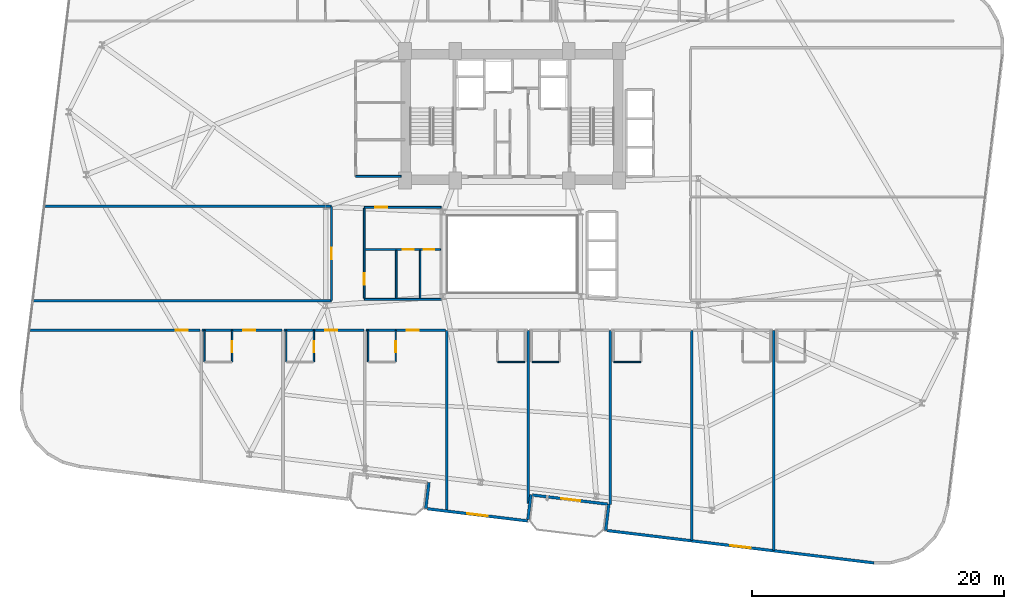
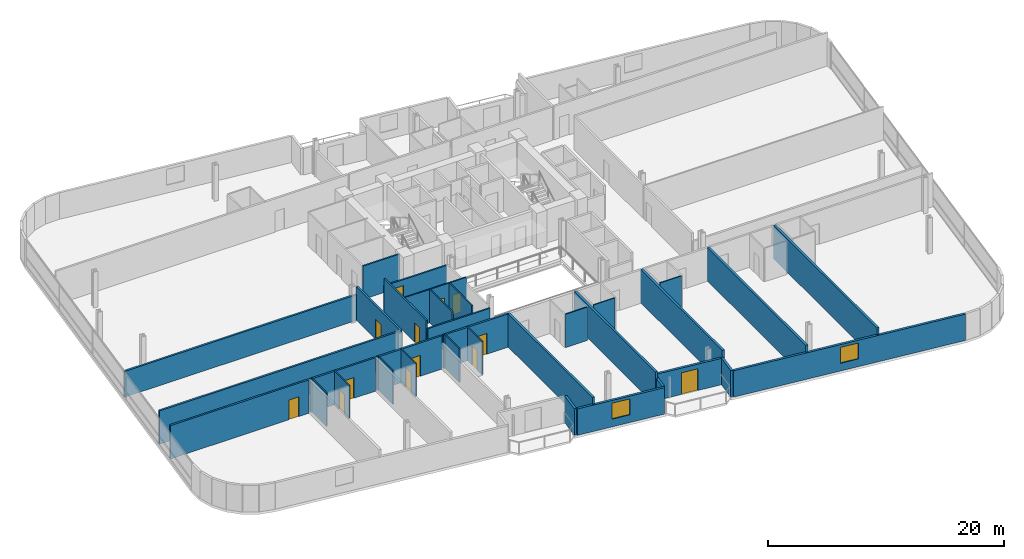
# One storey, part 20 of 26: 34 walls, 13 doors, 2 windows, 15 openings.
"""IFC4 building model written with IfcOpenShell, lengths in metres."""

from ifc_helpers import new_model, si_unit, direction, frame, frame_2d, origin, place, context, subcontext, project, spatial, rectangle, extrude, material, layer, layer_set, type_object, element, fill, save


model = new_model("IFC4")

# Units and contexts
model_context = context("Model", 3, precision=1e-05, world=origin(), true_north=direction((0.0, 1.0)))
body_context = subcontext(model_context, "Body", "Model", "MODEL_VIEW")
ifc_project = project(units=[si_unit("LENGTHUNIT", "METRE"), si_unit("AREAUNIT", "SQUARE_METRE"), si_unit("VOLUMEUNIT", "CUBIC_METRE"), si_unit("PLANEANGLEUNIT", "RADIAN"), si_unit("MASSUNIT", "GRAM", prefix="KILO")], contexts=[model_context])

# Site, building, storey
site_placement = place(None, origin())
site = spatial("IfcSite", under=ifc_project, at=site_placement, CompositionType="ELEMENT")
building_placement = place(site_placement, origin())
building = spatial("IfcBuilding", under=site, at=building_placement, Name="Varnelok Gate Tower", CompositionType="ELEMENT")
storey_placement = place(building_placement, frame((0.0, 0.0, 129.10009765625)))
storey = spatial("IfcBuildingStorey", under=building, at=storey_placement, Name="L32", CompositionType="ELEMENT", Elevation=129.10009765625)

# Wall, opening, door
ifc_material_1 = material(Name="Concrete C45/55", Category="concrete")
ifc_layer_1 = layer(ifc_material_1, 0.219970703125)
ifc_layer_set_1 = layer_set([ifc_layer_1], Name="Concrete C45/55")
wall_type_1 = type_object("IfcWallType", Name="EW-BALC-220", PredefinedType="SOLIDWALL", material=ifc_layer_set_1)
wall_1_placement = place(storey_placement, frame((46.77587890625, 3.03662109375, 0.0), z_axis=(0.0, 0.0, 1.0), x_axis=(-0.992735402148, 0.120318000826, 0.0)))
wall_1 = element("IfcWall", 1, at=wall_1_placement, inside=storey, type_object=wall_type_1, Name="L32 South Terrace Envelope Wall 2", PredefinedType="SOLIDWALL", context=body_context, shape_type="SweptSolid", body=[
    extrude(rectangle(XDim=6.000244140625, YDim=0.219970703125, at=frame_2d((3.0, 0.0))), origin(), (0.0, 0.0, 1.0), 2.72998046875),
])
opening_1_placement = place(wall_1_placement, frame((2.176025390625, 0.0, 0.0)))
opening_1 = element("IfcOpeningElement", 2, at=opening_1_placement, cuts=wall_1, Name="Opening BD-1", PredefinedType="OPENING", context=body_context, shape_type="SweptSolid", body=[
    extrude(rectangle(XDim=1.5, YDim=2.25, at=frame_2d((0.75, 1.125))), frame((0.0, 0.119873046875, 0.0), z_axis=(0.0, -1.0, 0.0), x_axis=(1.0, 0.0, 0.0)), (0.0, 0.0, 1.0), 0.239990234375),
])
ifc_material_2 = material(Name="Anodized Aluminum Alloy 6063-T6", Category="aluminium")
door_type_1 = type_object("IfcDoorType", Name="DR-EXT-BALC1500", OperationType="NOTDEFINED", PredefinedType="DOOR", material=ifc_material_2)
door_1_placement = place(opening_1_placement, origin())
door_1 = element("IfcDoor", 3, at=door_1_placement, inside=storey, type_object=door_type_1, Name="L32 South Balcony Glazed Door 2", OperationType="SINGLE_SWING_LEFT", OverallHeight=2.25, OverallWidth=1.5, PredefinedType="DOOR", context=body_context, shape_type="SweptSolid", body=[
    extrude(rectangle(XDim=1.5, YDim=2.25, at=frame_2d((0.75, 1.125))), frame((0.0, 0.02490234375, 0.0), z_axis=(0.0, -1.0, 0.0), x_axis=(1.0, 0.0, 0.0)), (0.0, 0.0, 1.0), 0.050048828125),
])
fill(opening_1, door_1)

# Wall
wall_2_placement = place(storey_placement, frame((32.600830078125, 4.764892578125, 0.0), z_axis=(0.0, 0.0, 1.0), x_axis=(-0.120327895535, -0.992734202874, 0.0)))
element("IfcWall", 4, at=wall_2_placement, inside=storey, type_object=wall_type_1, Name="L32 Perimeter Facade Closure Wall 9", PredefinedType="SOLIDWALL", context=body_context, shape_type="SweptSolid", body=[
    extrude(rectangle(XDim=2.099853515625, YDim=0.219970703125, at=frame_2d((1.0498046875, 0.0))), origin(), (0.0, 0.0, 1.0), 2.72998046875),
])

# Wall, opening, window
wall_3_placement = place(storey_placement, frame((32.47216796875, 2.6650390625, 0.0), z_axis=(0.0, 0.0, 1.0), x_axis=(0.992734661931, -0.120324108143, 0.0)))
wall_3 = element("IfcWall", 5, at=wall_3_placement, inside=storey, type_object=wall_type_1, Name="L32 Perimeter Facade Closure Wall 10", PredefinedType="SOLIDWALL", context=body_context, shape_type="SweptSolid", body=[
    extrude(rectangle(XDim=8.034912109375, YDim=0.219970703125, at=frame_2d((4.017578125, 0.0))), origin(), (0.0, 0.0, 1.0), 2.72998046875),
])
opening_2_placement = place(wall_3_placement, frame((3.1923828125, 0.0, 0.800048828125)))
opening_2 = element("IfcOpeningElement", 6, at=opening_2_placement, cuts=wall_3, Name="Opening WN3", PredefinedType="OPENING", context=body_context, shape_type="SweptSolid", body=[
    extrude(rectangle(XDim=1.64990234375, YDim=1.64990234375, at=frame_2d((0.824951171875, 0.824951171875))), frame((0.0, 0.119873046875, 0.0), z_axis=(0.0, -1.0, 0.0), x_axis=(1.0, 0.0, 0.0)), (0.0, 0.0, 1.0), 0.239990234375),
])
ifc_material_3 = material(Name="Low-E Laminated Double Glazing IGU", Category="glass")
window_type = type_object("IfcWindowType", Name="WN-HTL-1650", PartitioningType="SINGLE_PANEL", PredefinedType="WINDOW", material=ifc_material_3)
window_1_placement = place(opening_2_placement, origin())
window_1 = element("IfcWindow", 7, at=window_1_placement, inside=storey, type_object=window_type, Name="L32 Perimeter Vision Window 10", OverallHeight=1.64990234375, OverallWidth=1.64990234375, PartitioningType="SINGLE_PANEL", PredefinedType="WINDOW", context=body_context, shape_type="SweptSolid", body=[
    extrude(rectangle(XDim=1.64990234375, YDim=1.64990234375, at=frame_2d((0.824951171875, 0.824951171875))), frame((0.0, 0.030029296875, 0.0), z_axis=(0.0, -1.0, 0.0), x_axis=(1.0, 0.0, 0.0)), (0.0, 0.0, 1.0), 0.06005859375),
])
fill(opening_2, window_1)

# Walls
wall_4_placement = place(storey_placement, frame((40.4638671875, 1.822265625, 0.0), z_axis=(0.0, 0.0, 1.0), x_axis=(0.120275992932, 0.992740492538, 0.0)))
element("IfcWall", 8, at=wall_4_placement, inside=storey, type_object=wall_type_1, Name="L32 Perimeter Facade Closure Wall 11", PredefinedType="SOLIDWALL", context=body_context, shape_type="SweptSolid", body=[
    extrude(rectangle(XDim=1.97509765625, YDim=0.219970703125, at=frame_2d((0.987548828125, 0.0))), origin(), (0.0, 0.0, 1.0), 2.72998046875),
])
wall_5_placement = place(storey_placement, frame((46.89599609375, 3.031982421875, 0.0), z_axis=(0.0, 0.0, 1.0), x_axis=(-0.120327895535, -0.992734202874, 0.0)))
element("IfcWall", 9, at=wall_5_placement, inside=storey, type_object=wall_type_1, Name="L32 Perimeter Facade Closure Wall 12", PredefinedType="SOLIDWALL", context=body_context, shape_type="SweptSolid", body=[
    extrude(rectangle(XDim=2.099853515625, YDim=0.219970703125, at=frame_2d((1.0498046875, 0.0))), origin(), (0.0, 0.0, 1.0), 2.72998046875),
])

# Wall, opening, window
wall_6_placement = place(storey_placement, frame((46.767578125, 0.93212890625, 0.0), z_axis=(0.0, 0.0, 1.0), x_axis=(0.992733036814, -0.120337515419, 0.0)))
wall_6 = element("IfcWall", 10, at=wall_6_placement, inside=storey, type_object=wall_type_1, Name="L32 Perimeter Facade Closure Wall 13", PredefinedType="SOLIDWALL", context=body_context, shape_type="SweptSolid", body=[
    extrude(rectangle(XDim=21.346923828125, YDim=0.219970703125, at=frame_2d((10.67333984375, 0.0))), origin(), (0.0, 0.0, 1.0), 2.72998046875),
])
opening_3_placement = place(wall_6_placement, frame((9.8486328125, 0.0, 0.800048828125)))
opening_3 = element("IfcOpeningElement", 11, at=opening_3_placement, cuts=wall_6, Name="Opening WN3", PredefinedType="OPENING", context=body_context, shape_type="SweptSolid", body=[
    extrude(rectangle(XDim=1.64990234375, YDim=1.64990234375, at=frame_2d((0.824951171875, 0.824951171875))), frame((0.0, 0.119873046875, 0.0), z_axis=(0.0, -1.0, 0.0), x_axis=(1.0, 0.0, 0.0)), (0.0, 0.0, 1.0), 0.239990234375),
])
window_2_placement = place(opening_3_placement, origin())
window_2 = element("IfcWindow", 12, at=window_2_placement, inside=storey, type_object=window_type, Name="L32 Perimeter Vision Window 13", OverallHeight=1.64990234375, OverallWidth=1.64990234375, PartitioningType="SINGLE_PANEL", PredefinedType="WINDOW", context=body_context, shape_type="SweptSolid", body=[
    extrude(rectangle(XDim=1.64990234375, YDim=1.64990234375, at=frame_2d((0.824951171875, 0.824951171875))), frame((0.0, 0.030029296875, 0.0), z_axis=(0.0, -1.0, 0.0), x_axis=(1.0, 0.0, 0.0)), (0.0, 0.0, 1.0), 0.06005859375),
])
fill(opening_3, window_2)

# Wall, opening, door
ifc_material_4 = material(Name="Gypsum Plasterboard Acoustic Partition", Category="gypsum")
ifc_layer_2 = layer(ifc_material_4, 0.179931640625)
ifc_layer_set_2 = layer_set([ifc_layer_2], Name="Gypsum Plasterboard Acoustic Partition")
wall_type_2 = type_object("IfcWallType", Name="PW-CORR-180", PredefinedType="PARTITIONING", material=ifc_layer_set_2)
wall_7_placement = place(storey_placement, frame((0.88427734375, 16.85009765625, 0.0), z_axis=(0.0, 0.0, 1.0), x_axis=(1.0, 0.0, 0.0)))
wall_7 = element("IfcWall", 13, at=wall_7_placement, inside=storey, type_object=wall_type_2, Name="Interior Partition", PredefinedType="PARTITIONING", context=body_context, shape_type="SweptSolid", body=[
    extrude(rectangle(XDim=13.53564453125, YDim=0.179931640625, at=frame_2d((6.767822265625, 0.0))), origin(), (0.0, 0.0, 1.0), 3.449951171875),
])
opening_4_placement = place(wall_7_placement, frame((11.5908203125, 0.0, 0.0)))
opening_4 = element("IfcOpeningElement", 14, at=opening_4_placement, cuts=wall_7, Name="Opening D-I2", PredefinedType="OPENING", context=body_context, shape_type="SweptSolid", body=[
    extrude(rectangle(XDim=0.949951171875, YDim=2.050048828125, at=frame_2d((0.47509765625, 1.02490234375))), frame((0.0, 0.099853515625, 0.0), z_axis=(0.0, -1.0, 0.0), x_axis=(1.0, 0.0, 0.0)), (0.0, 0.0, 1.0), 0.199951171875),
])
ifc_material_5 = material(Name="Engineered Hardwood Timber", Category="wood")
door_type_2 = type_object("IfcDoorType", Name="DR-INT-950", OperationType="NOTDEFINED", PredefinedType="DOOR", material=ifc_material_5)
door_2_placement = place(opening_4_placement, origin())
door_2 = element("IfcDoor", 15, at=door_2_placement, inside=storey, type_object=door_type_2, Name="L32 Wellness Spa Lounge Door", OperationType="SINGLE_SWING_LEFT", OverallHeight=2.050048828125, OverallWidth=0.949951171875, PredefinedType="DOOR", context=body_context, shape_type="SweptSolid", body=[
    extrude(rectangle(XDim=0.949951171875, YDim=2.050048828125, at=frame_2d((0.47509765625, 1.02490234375))), frame((0.0, 0.02490234375, 0.0), z_axis=(0.0, -1.0, 0.0), x_axis=(1.0, 0.0, 0.0)), (0.0, 0.0, 1.0), 0.050048828125),
])
fill(opening_4, door_2)

wall_8_placement = place(storey_placement, frame((14.580078125, 16.85009765625, 0.0), z_axis=(0.0, 0.0, 1.0), x_axis=(1.0, 0.0, 0.0)))
wall_8 = element("IfcWall", 16, at=wall_8_placement, inside=storey, type_object=wall_type_2, Name="Interior Partition", PredefinedType="PARTITIONING", context=body_context, shape_type="SweptSolid", body=[
    extrude(rectangle(XDim=6.33984375, YDim=0.179931640625, at=frame_2d((3.169921875, 0.0))), origin(), (0.0, 0.0, 1.0), 3.449951171875),
])
opening_5_placement = place(wall_8_placement, frame((3.273681640625, 0.0, 0.0)))
opening_5 = element("IfcOpeningElement", 17, at=opening_5_placement, cuts=wall_8, Name="Opening D-HT", PredefinedType="OPENING", context=body_context, shape_type="SweptSolid", body=[
    extrude(rectangle(XDim=0.949951171875, YDim=2.14990234375, at=frame_2d((0.47509765625, 1.074951171875))), frame((0.0, 0.099853515625, 0.0), z_axis=(0.0, -1.0, 0.0), x_axis=(1.0, 0.0, 0.0)), (0.0, 0.0, 1.0), 0.199951171875),
])
door_type_3 = type_object("IfcDoorType", Name="DR-HTL-950", OperationType="NOTDEFINED", PredefinedType="DOOR", material=ifc_material_5)
door_3_placement = place(opening_5_placement, origin())
door_3 = element("IfcDoor", 18, at=door_3_placement, inside=storey, type_object=door_type_3, Name="L32 Guest Room 02 Entrance Door", OperationType="SINGLE_SWING_LEFT", OverallHeight=2.14990234375, OverallWidth=0.949951171875, PredefinedType="DOOR", context=body_context, shape_type="SweptSolid", body=[
    extrude(rectangle(XDim=0.949951171875, YDim=2.14990234375, at=frame_2d((0.47509765625, 1.074951171875))), frame((0.0, 0.02490234375, 0.0), z_axis=(0.0, -1.0, 0.0), x_axis=(1.0, 0.0, 0.0)), (0.0, 0.0, 1.0), 0.050048828125),
])
fill(opening_5, door_3)

wall_9_placement = place(storey_placement, frame((21.080078125, 16.85009765625, 0.0), z_axis=(0.0, 0.0, 1.0), x_axis=(1.0, 0.0, 0.0)))
wall_9 = element("IfcWall", 19, at=wall_9_placement, inside=storey, type_object=wall_type_2, Name="Interior Partition", PredefinedType="PARTITIONING", context=body_context, shape_type="SweptSolid", body=[
    extrude(rectangle(XDim=6.33984375, YDim=0.179931640625, at=frame_2d((3.169921875, 0.0))), origin(), (0.0, 0.0, 1.0), 3.449951171875),
])
opening_6_placement = place(wall_9_placement, frame((3.273681640625, 0.0, 0.0)))
opening_6 = element("IfcOpeningElement", 20, at=opening_6_placement, cuts=wall_9, Name="Opening D-HT", PredefinedType="OPENING", context=body_context, shape_type="SweptSolid", body=[
    extrude(rectangle(XDim=0.949951171875, YDim=2.14990234375, at=frame_2d((0.47509765625, 1.074951171875))), frame((0.0, 0.099853515625, 0.0), z_axis=(0.0, -1.0, 0.0), x_axis=(1.0, 0.0, 0.0)), (0.0, 0.0, 1.0), 0.199951171875),
])
door_4_placement = place(opening_6_placement, origin())
door_4 = element("IfcDoor", 21, at=door_4_placement, inside=storey, type_object=door_type_3, Name="L32 Guest Room 03 Entrance Door", OperationType="SINGLE_SWING_RIGHT", OverallHeight=2.14990234375, OverallWidth=0.949951171875, PredefinedType="DOOR", context=body_context, shape_type="SweptSolid", body=[
    extrude(rectangle(XDim=0.949951171875, YDim=2.14990234375, at=frame_2d((0.47509765625, 1.074951171875))), frame((0.0, 0.02490234375, 0.0), z_axis=(0.0, -1.0, 0.0), x_axis=(1.0, 0.0, 0.0)), (0.0, 0.0, 1.0), 0.050048828125),
])
fill(opening_6, door_4)

wall_10_placement = place(storey_placement, frame((27.580078125, 16.85009765625, 0.0), z_axis=(0.0, 0.0, 1.0), x_axis=(1.0, 0.0, 0.0)))
wall_10 = element("IfcWall", 22, at=wall_10_placement, inside=storey, type_object=wall_type_2, Name="Interior Partition", PredefinedType="PARTITIONING", context=body_context, shape_type="SweptSolid", body=[
    extrude(rectangle(XDim=6.33984375, YDim=0.179931640625, at=frame_2d((3.169921875, 0.0))), origin(), (0.0, 0.0, 1.0), 3.449951171875),
])
opening_7_placement = place(wall_10_placement, frame((3.273681640625, 0.0, 0.0)))
opening_7 = element("IfcOpeningElement", 23, at=opening_7_placement, cuts=wall_10, Name="Opening D-HT", PredefinedType="OPENING", context=body_context, shape_type="SweptSolid", body=[
    extrude(rectangle(XDim=0.949951171875, YDim=2.14990234375, at=frame_2d((0.47509765625, 1.074951171875))), frame((0.0, 0.099853515625, 0.0), z_axis=(0.0, -1.0, 0.0), x_axis=(1.0, 0.0, 0.0)), (0.0, 0.0, 1.0), 0.199951171875),
])
door_5_placement = place(opening_7_placement, origin())
door_5 = element("IfcDoor", 24, at=door_5_placement, inside=storey, type_object=door_type_3, Name="L32 Guest Room 04 Entrance Door", OperationType="SINGLE_SWING_LEFT", OverallHeight=2.14990234375, OverallWidth=0.949951171875, PredefinedType="DOOR", context=body_context, shape_type="SweptSolid", body=[
    extrude(rectangle(XDim=0.949951171875, YDim=2.14990234375, at=frame_2d((0.47509765625, 1.074951171875))), frame((0.0, 0.02490234375, 0.0), z_axis=(0.0, -1.0, 0.0), x_axis=(1.0, 0.0, 0.0)), (0.0, 0.0, 1.0), 0.050048828125),
])
fill(opening_7, door_5)

wall_11_placement = place(storey_placement, frame((24.85009765625, 19.199951171875, 0.0), z_axis=(0.0, 0.0, 1.0), x_axis=(0.0, 1.0, 0.0)))
wall_11 = element("IfcWall", 25, at=wall_11_placement, inside=storey, type_object=wall_type_2, Name="Interior Partition", PredefinedType="PARTITIONING", context=body_context, shape_type="SweptSolid", body=[
    extrude(rectangle(XDim=7.5, YDim=0.179931640625, at=frame_2d((3.75, 0.0))), origin(), (0.0, 0.0, 1.0), 3.449951171875),
])
opening_8_placement = place(wall_11_placement, frame((3.27490234375, 0.0, 0.0)))
opening_8 = element("IfcOpeningElement", 26, at=opening_8_placement, cuts=wall_11, Name="Opening D-I2", PredefinedType="OPENING", context=body_context, shape_type="SweptSolid", body=[
    extrude(rectangle(XDim=0.949951171875, YDim=2.050048828125, at=frame_2d((0.47509765625, 1.02490234375))), frame((0.0, 0.099853515625, 0.0), z_axis=(0.0, -1.0, 0.0), x_axis=(1.0, 0.0, 0.0)), (0.0, 0.0, 1.0), 0.199951171875),
])
door_6_placement = place(opening_8_placement, origin())
door_6 = element("IfcDoor", 27, at=door_6_placement, inside=storey, type_object=door_type_2, Name="L32 West Flank Room Door", OperationType="SINGLE_SWING_LEFT", OverallHeight=2.050048828125, OverallWidth=0.949951171875, PredefinedType="DOOR", context=body_context, shape_type="SweptSolid", body=[
    extrude(rectangle(XDim=0.949951171875, YDim=2.050048828125, at=frame_2d((0.47509765625, 1.02490234375))), frame((0.0, 0.02490234375, 0.0), z_axis=(0.0, -1.0, 0.0), x_axis=(1.0, 0.0, 0.0)), (0.0, 0.0, 1.0), 0.050048828125),
])
fill(opening_8, door_6)

# Walls
wall_12_placement = place(storey_placement, frame((1.169189453125, 19.199951171875, 0.0), z_axis=(0.0, 0.0, 1.0), x_axis=(1.0, 0.0, 0.0)))
element("IfcWall", 28, at=wall_12_placement, inside=storey, type_object=wall_type_2, Name="Interior Partition", PredefinedType="PARTITIONING", context=body_context, shape_type="SweptSolid", body=[
    extrude(rectangle(XDim=23.680908203125, YDim=0.179931640625, at=frame_2d((11.84033203125, 0.0))), origin(), (0.0, 0.0, 1.0), 3.449951171875),
])
wall_13_placement = place(storey_placement, frame((2.078369140625, 26.699951171875, 0.0), z_axis=(0.0, 0.0, 1.0), x_axis=(1.0, 0.0, 0.0)))
element("IfcWall", 29, at=wall_13_placement, inside=storey, type_object=wall_type_2, Name="Interior Partition", PredefinedType="PARTITIONING", context=body_context, shape_type="SweptSolid", body=[
    extrude(rectangle(XDim=22.771728515625, YDim=0.179931640625, at=frame_2d((11.3857421875, 0.0))), origin(), (0.0, 0.0, 1.0), 2.661865234375),
])

# Wall, opening, door
ifc_layer_3 = layer(ifc_material_4, 0.114990234375)
ifc_layer_set_3 = layer_set([ifc_layer_3], Name="Gypsum Plasterboard Acoustic Partition")
wall_type_3 = type_object("IfcWallType", Name="PW-ENS-125", PredefinedType="PARTITIONING", material=ifc_layer_set_3)
wall_14_placement = place(storey_placement, frame((16.964111328125, 14.330078125, 0.0), z_axis=(0.0, 0.0, 1.0), x_axis=(0.0, 1.0, 0.0)))
wall_14 = element("IfcWall", 30, at=wall_14_placement, inside=storey, type_object=wall_type_3, Name="Interior Partition", PredefinedType="PARTITIONING", context=body_context, shape_type="SweptSolid", body=[
    extrude(rectangle(XDim=2.52001953125, YDim=0.114990234375, at=frame_2d((1.260009765625, 0.0))), origin(), (0.0, 0.0, 1.0), 3.449951171875),
])
opening_9_placement = place(wall_14_placement, frame((0.760009765625, 0.0, 0.0)))
opening_9 = element("IfcOpeningElement", 31, at=opening_9_placement, cuts=wall_14, Name="Opening D-WC", PredefinedType="OPENING", context=body_context, shape_type="SweptSolid", body=[
    extrude(rectangle(XDim=0.89990234375, YDim=2.050048828125, at=frame_2d((0.449951171875, 1.02490234375))), frame((0.0, 0.0673828125, 0.0), z_axis=(0.0, -1.0, 0.0), x_axis=(1.0, 0.0, 0.0)), (0.0, 0.0, 1.0), 0.135009765625),
])
door_type_4 = type_object("IfcDoorType", Name="DR-BATH-900", OperationType="NOTDEFINED", PredefinedType="DOOR", material=ifc_material_5)
door_7_placement = place(opening_9_placement, origin())
door_7 = element("IfcDoor", 32, at=door_7_placement, inside=storey, type_object=door_type_4, Name="L32 Guest En-Suite 02 Door", OperationType="SINGLE_SWING_LEFT", OverallHeight=2.050048828125, OverallWidth=0.89990234375, PredefinedType="DOOR", context=body_context, shape_type="SweptSolid", body=[
    extrude(rectangle(XDim=0.89990234375, YDim=2.050048828125, at=frame_2d((0.449951171875, 1.02490234375))), frame((0.0, 0.02490234375, 0.0), z_axis=(0.0, -1.0, 0.0), x_axis=(1.0, 0.0, 0.0)), (0.0, 0.0, 1.0), 0.050048828125),
])
fill(opening_9, door_7)

# Wall
wall_15_placement = place(storey_placement, frame((14.760009765625, 14.330078125, 0.0), z_axis=(0.0, 0.0, 1.0), x_axis=(0.0, 1.0, 0.0)))
element("IfcWall", 33, at=wall_15_placement, inside=storey, type_object=wall_type_3, Name="Interior Partition", PredefinedType="PARTITIONING", context=body_context, shape_type="SweptSolid", body=[
    extrude(rectangle(XDim=2.52001953125, YDim=0.114990234375, at=frame_2d((1.260009765625, 0.0))), origin(), (0.0, 0.0, 1.0), 3.449951171875),
])

# Wall, opening, door
wall_16_placement = place(storey_placement, frame((23.464111328125, 14.330078125, 0.0), z_axis=(0.0, 0.0, 1.0), x_axis=(0.0, 1.0, 0.0)))
wall_16 = element("IfcWall", 34, at=wall_16_placement, inside=storey, type_object=wall_type_3, Name="Interior Partition", PredefinedType="PARTITIONING", context=body_context, shape_type="SweptSolid", body=[
    extrude(rectangle(XDim=2.52001953125, YDim=0.114990234375, at=frame_2d((1.260009765625, 0.0))), origin(), (0.0, 0.0, 1.0), 3.449951171875),
])
opening_10_placement = place(wall_16_placement, frame((0.760009765625, 0.0, 0.0)))
opening_10 = element("IfcOpeningElement", 35, at=opening_10_placement, cuts=wall_16, Name="Opening D-WC", PredefinedType="OPENING", context=body_context, shape_type="SweptSolid", body=[
    extrude(rectangle(XDim=0.89990234375, YDim=2.050048828125, at=frame_2d((0.449951171875, 1.02490234375))), frame((0.0, 0.0673828125, 0.0), z_axis=(0.0, -1.0, 0.0), x_axis=(1.0, 0.0, 0.0)), (0.0, 0.0, 1.0), 0.135009765625),
])
door_8_placement = place(opening_10_placement, origin())
door_8 = element("IfcDoor", 36, at=door_8_placement, inside=storey, type_object=door_type_4, Name="L32 Guest En-Suite 03 Door", OperationType="SINGLE_SWING_LEFT", OverallHeight=2.050048828125, OverallWidth=0.89990234375, PredefinedType="DOOR", context=body_context, shape_type="SweptSolid", body=[
    extrude(rectangle(XDim=0.89990234375, YDim=2.050048828125, at=frame_2d((0.449951171875, 1.02490234375))), frame((0.0, 0.02490234375, 0.0), z_axis=(0.0, -1.0, 0.0), x_axis=(1.0, 0.0, 0.0)), (0.0, 0.0, 1.0), 0.050048828125),
])
fill(opening_10, door_8)

# Wall
wall_17_placement = place(storey_placement, frame((21.260009765625, 14.330078125, 0.0), z_axis=(0.0, 0.0, 1.0), x_axis=(0.0, 1.0, 0.0)))
element("IfcWall", 37, at=wall_17_placement, inside=storey, type_object=wall_type_3, Name="Interior Partition", PredefinedType="PARTITIONING", context=body_context, shape_type="SweptSolid", body=[
    extrude(rectangle(XDim=2.52001953125, YDim=0.114990234375, at=frame_2d((1.260009765625, 0.0))), origin(), (0.0, 0.0, 1.0), 3.449951171875),
])

# Wall, opening, door
wall_18_placement = place(storey_placement, frame((29.964111328125, 14.330078125, 0.0), z_axis=(0.0, 0.0, 1.0), x_axis=(0.0, 1.0, 0.0)))
wall_18 = element("IfcWall", 38, at=wall_18_placement, inside=storey, type_object=wall_type_3, Name="Interior Partition", PredefinedType="PARTITIONING", context=body_context, shape_type="SweptSolid", body=[
    extrude(rectangle(XDim=2.52001953125, YDim=0.114990234375, at=frame_2d((1.260009765625, 0.0))), origin(), (0.0, 0.0, 1.0), 3.449951171875),
])
opening_11_placement = place(wall_18_placement, frame((0.760009765625, 0.0, 0.0)))
opening_11 = element("IfcOpeningElement", 39, at=opening_11_placement, cuts=wall_18, Name="Opening D-WC", PredefinedType="OPENING", context=body_context, shape_type="SweptSolid", body=[
    extrude(rectangle(XDim=0.89990234375, YDim=2.050048828125, at=frame_2d((0.449951171875, 1.02490234375))), frame((0.0, 0.0673828125, 0.0), z_axis=(0.0, -1.0, 0.0), x_axis=(1.0, 0.0, 0.0)), (0.0, 0.0, 1.0), 0.135009765625),
])
door_9_placement = place(opening_11_placement, origin())
door_9 = element("IfcDoor", 40, at=door_9_placement, inside=storey, type_object=door_type_4, Name="L32 Guest En-Suite 04 Door", OperationType="SINGLE_SWING_LEFT", OverallHeight=2.050048828125, OverallWidth=0.89990234375, PredefinedType="DOOR", context=body_context, shape_type="SweptSolid", body=[
    extrude(rectangle(XDim=0.89990234375, YDim=2.050048828125, at=frame_2d((0.449951171875, 1.02490234375))), frame((0.0, 0.02490234375, 0.0), z_axis=(0.0, -1.0, 0.0), x_axis=(1.0, 0.0, 0.0)), (0.0, 0.0, 1.0), 0.050048828125),
])
fill(opening_11, door_9)

# Walls
wall_19_placement = place(storey_placement, frame((27.760009765625, 14.330078125, 0.0), z_axis=(0.0, 0.0, 1.0), x_axis=(0.0, 1.0, 0.0)))
element("IfcWall", 41, at=wall_19_placement, inside=storey, type_object=wall_type_3, Name="Interior Partition", PredefinedType="PARTITIONING", context=body_context, shape_type="SweptSolid", body=[
    extrude(rectangle(XDim=2.52001953125, YDim=0.114990234375, at=frame_2d((1.260009765625, 0.0))), origin(), (0.0, 0.0, 1.0), 3.449951171875),
])
for number, where, z_axis, x_axis, name in (
    (42, (38.075927734375, 14.330078125, 0.0), (0.0, 0.0, 1.0), (1.0, 0.0, 0.0), "Interior Partition"),
    (43, (40.800048828125, 14.330078125, 0.0), (0.0, 0.0, 1.0), (1.0, 0.0, 0.0), "Interior Partition"),
    (44, (47.300048828125, 14.330078125, 0.0), (0.0, 0.0, 1.0), (1.0, 0.0, 0.0), "Interior Partition"),
):
    element("IfcWall", number, at=place(storey_placement, frame(where, z_axis=z_axis, x_axis=x_axis)), inside=storey, type_object=wall_type_3, Name=name, PredefinedType="PARTITIONING", context=body_context, shape_type="SweptSolid", body=[
        extrude(rectangle(XDim=2.1240234375, YDim=0.114990234375, at=frame_2d((1.06201171875, 0.0))), origin(), (0.0, 0.0, 1.0), 3.449951171875),
    ])

# Wall, openings, doors
ifc_layer_4 = layer(ifc_material_4, 0.125)
ifc_layer_set_4 = layer_set([ifc_layer_4], Name="Gypsum Plasterboard Acoustic Partition")
wall_type_4 = type_object("IfcWallType", Name="PW-PART-125", PredefinedType="PARTITIONING", material=ifc_layer_set_4)
wall_20_placement = place(storey_placement, frame((27.52001953125, 23.27001953125, 0.0), z_axis=(0.0, 0.0, 1.0), x_axis=(1.0, 0.0, 0.0)))
wall_20 = element("IfcWall", 45, at=wall_20_placement, inside=storey, type_object=wall_type_4, Name="Interior Partition", PredefinedType="PARTITIONING", context=body_context, shape_type="SweptSolid", body=[
    extrude(rectangle(XDim=6.0, YDim=0.125, at=frame_2d((3.0, 0.0))), origin(), (0.0, 0.0, 1.0), 3.449951171875),
])
opening_12_placement = place(wall_20_placement, frame((2.981689453125, 0.0, 0.0)))
opening_12 = element("IfcOpeningElement", 46, at=opening_12_placement, cuts=wall_20, Name="Opening D-I4", PredefinedType="OPENING", context=body_context, shape_type="SweptSolid", body=[
    extrude(rectangle(XDim=0.89990234375, YDim=2.050048828125, at=frame_2d((0.449951171875, 1.02490234375))), frame((0.0, 0.072509765625, 0.0), z_axis=(0.0, -1.0, 0.0), x_axis=(1.0, 0.0, 0.0)), (0.0, 0.0, 1.0), 0.14501953125),
])
opening_13_placement = place(wall_20_placement, frame((4.64990234375, 0.0, 0.0)))
opening_13 = element("IfcOpeningElement", 47, at=opening_13_placement, cuts=wall_20, Name="Opening D-RS", PredefinedType="OPENING", context=body_context, shape_type="SweptSolid", body=[
    extrude(rectangle(XDim=0.85009765625, YDim=2.050048828125, at=frame_2d((0.425048828125, 1.02490234375))), frame((0.0, 0.072509765625, 0.0), z_axis=(0.0, -1.0, 0.0), x_axis=(1.0, 0.0, 0.0)), (0.0, 0.0, 1.0), 0.14501953125),
])
door_type_5 = type_object("IfcDoorType", Name="DR-INT-900", OperationType="NOTDEFINED", PredefinedType="DOOR", material=ifc_material_5)
door_10_placement = place(opening_12_placement, origin())
door_10 = element("IfcDoor", 48, at=door_10_placement, inside=storey, type_object=door_type_5, Name="L32 Trolley Room Door", OperationType="SINGLE_SWING_LEFT", OverallHeight=2.050048828125, OverallWidth=0.89990234375, PredefinedType="DOOR", context=body_context, shape_type="SweptSolid", body=[
    extrude(rectangle(XDim=0.89990234375, YDim=2.050048828125, at=frame_2d((0.449951171875, 1.02490234375))), frame((0.0, 0.02490234375, 0.0), z_axis=(0.0, -1.0, 0.0), x_axis=(1.0, 0.0, 0.0)), (0.0, 0.0, 1.0), 0.050048828125),
])
fill(opening_12, door_10)
ifc_material_6 = material(Name="Galvanized Steel Grade S350GD", Category="steel")
door_type_6 = type_object("IfcDoorType", Name="DR-RISER-850", OperationType="NOTDEFINED", PredefinedType="DOOR", material=ifc_material_6)
door_11_placement = place(opening_13_placement, origin())
door_11 = element("IfcDoor", 49, at=door_11_placement, inside=storey, type_object=door_type_6, Name="L32 Janitor Sink Door", OperationType="SINGLE_SWING_RIGHT", OverallHeight=2.050048828125, OverallWidth=0.85009765625, PredefinedType="DOOR", context=body_context, shape_type="SweptSolid", body=[
    extrude(rectangle(XDim=0.85009765625, YDim=2.050048828125, at=frame_2d((0.425048828125, 1.02490234375))), frame((0.0, 0.02490234375, 0.0), z_axis=(0.0, -1.0, 0.0), x_axis=(1.0, 0.0, 0.0)), (0.0, 0.0, 1.0), 0.050048828125),
])
fill(opening_13, door_11)

# Walls
for number, where, z_axis, x_axis, name in (
    (50, (30.0, 19.3798828125, 0.0), (0.0, 0.0, 1.0), (0.0, 1.0, 0.0), "Interior Partition"),
    (51, (31.89990234375, 19.3798828125, 0.0), (0.0, 0.0, 1.0), (0.0, 1.0, 0.0), "Interior Partition"),
):
    element("IfcWall", number, at=place(storey_placement, frame(where, z_axis=z_axis, x_axis=x_axis)), inside=storey, type_object=wall_type_4, Name=name, PredefinedType="PARTITIONING", context=body_context, shape_type="SweptSolid", body=[
        extrude(rectangle(XDim=3.820068359375, YDim=0.125, at=frame_2d((1.91015625, 0.0))), origin(), (0.0, 0.0, 1.0), 3.449951171875),
    ])

# Wall, opening, door
ifc_layer_5 = layer(ifc_material_4, 0.14990234375)
ifc_layer_set_5 = layer_set([ifc_layer_5], Name="Gypsum Plasterboard Acoustic Partition")
wall_type_5 = type_object("IfcWallType", Name="PW-PART-150", PredefinedType="PARTITIONING", material=ifc_layer_set_5)
wall_21_placement = place(storey_placement, frame((27.4599609375, 26.6201171875, 0.0), z_axis=(0.0, 0.0, 1.0), x_axis=(1.0, 0.0, 0.0)))
wall_21 = element("IfcWall", 52, at=wall_21_placement, inside=storey, type_object=wall_type_5, Name="Interior Partition", PredefinedType="PARTITIONING", context=body_context, shape_type="SweptSolid", body=[
    extrude(rectangle(XDim=6.10009765625, YDim=0.14990234375, at=frame_2d((3.050048828125, 0.0))), origin(), (0.0, 0.0, 1.0), 2.661865234375),
])
opening_14_placement = place(wall_21_placement, frame((0.8896484375, 0.0, 0.0)))
opening_14 = element("IfcOpeningElement", 53, at=opening_14_placement, cuts=wall_21, Name="Opening D-I2", PredefinedType="OPENING", context=body_context, shape_type="SweptSolid", body=[
    extrude(rectangle(XDim=0.949951171875, YDim=2.050048828125, at=frame_2d((0.47509765625, 1.02490234375))), frame((0.0, 0.0849609375, 0.0), z_axis=(0.0, -1.0, 0.0), x_axis=(1.0, 0.0, 0.0)), (0.0, 0.0, 1.0), 0.169921875),
])
door_12_placement = place(opening_14_placement, origin())
door_12 = element("IfcDoor", 54, at=door_12_placement, inside=storey, type_object=door_type_2, Name="L32 Private Owners Horizon Club Door", OperationType="SINGLE_SWING_LEFT", OverallHeight=2.050048828125, OverallWidth=0.949951171875, PredefinedType="DOOR", context=body_context, shape_type="SweptSolid", body=[
    extrude(rectangle(XDim=0.949951171875, YDim=2.050048828125, at=frame_2d((0.47509765625, 1.02490234375))), frame((0.0, 0.02490234375, 0.0), z_axis=(0.0, -1.0, 0.0), x_axis=(1.0, 0.0, 0.0)), (0.0, 0.0, 1.0), 0.050048828125),
])
fill(opening_14, door_12)

# Wall
wall_22_placement = place(storey_placement, frame((27.4599609375, 19.300048828125, 0.0), z_axis=(0.0, 0.0, 1.0), x_axis=(1.0, 0.0, 0.0)))
element("IfcWall", 55, at=wall_22_placement, inside=storey, type_object=wall_type_5, Name="Interior Partition", PredefinedType="PARTITIONING", context=body_context, shape_type="SweptSolid", body=[
    extrude(rectangle(XDim=6.10009765625, YDim=0.14990234375, at=frame_2d((3.050048828125, 0.0))), origin(), (0.0, 0.0, 1.0), 2.661865234375),
])

# Wall, opening, door
wall_23_placement = place(storey_placement, frame((27.4599609375, 19.3798828125, 0.0), z_axis=(0.0, 0.0, 1.0), x_axis=(0.0, 1.0, 0.0)))
wall_23 = element("IfcWall", 56, at=wall_23_placement, inside=storey, type_object=wall_type_5, Name="Interior Partition", PredefinedType="PARTITIONING", context=body_context, shape_type="SweptSolid", body=[
    extrude(rectangle(XDim=7.16015625, YDim=0.14990234375, at=frame_2d((3.580078125, 0.0))), origin(), (0.0, 0.0, 1.0), 3.449951171875),
])
opening_15_placement = place(wall_23_placement, frame((1.10009765625, 0.0, 0.0)))
opening_15 = element("IfcOpeningElement", 57, at=opening_15_placement, cuts=wall_23, Name="Opening D-WC", PredefinedType="OPENING", context=body_context, shape_type="SweptSolid", body=[
    extrude(rectangle(XDim=0.89990234375, YDim=2.050048828125, at=frame_2d((0.449951171875, 1.02490234375))), frame((0.0, 0.0849609375, 0.0), z_axis=(0.0, -1.0, 0.0), x_axis=(1.0, 0.0, 0.0)), (0.0, 0.0, 1.0), 0.169921875),
])
door_13_placement = place(opening_15_placement, origin())
door_13 = element("IfcDoor", 58, at=door_13_placement, inside=storey, type_object=door_type_4, Name="L32 Accessible Floor WC Door", OperationType="SINGLE_SWING_RIGHT", OverallHeight=2.050048828125, OverallWidth=0.89990234375, PredefinedType="DOOR", context=body_context, shape_type="SweptSolid", body=[
    extrude(rectangle(XDim=0.89990234375, YDim=2.050048828125, at=frame_2d((0.449951171875, 1.02490234375))), frame((0.0, 0.02490234375, 0.0), z_axis=(0.0, -1.0, 0.0), x_axis=(1.0, 0.0, 0.0)), (0.0, 0.0, 1.0), 0.050048828125),
])
fill(opening_15, door_13)

# Walls
wall_24_placement = place(storey_placement, frame((26.780029296875, 29.080078125, 0.0), z_axis=(0.0, 0.0, 1.0), x_axis=(1.0, 0.0, 0.0)))
element("IfcWall", 59, at=wall_24_placement, inside=storey, type_object=wall_type_5, Name="Interior Partition", PredefinedType="PARTITIONING", context=body_context, shape_type="SweptSolid", body=[
    extrude(rectangle(XDim=3.599853515625, YDim=0.14990234375, at=frame_2d((1.7998046875, 0.0))), origin(), (0.0, 0.0, 1.0), 3.449951171875),
])
ifc_layer_6 = layer(ifc_material_4, 0.205078125)
ifc_layer_set_6 = layer_set([ifc_layer_6], Name="Gypsum Plasterboard Acoustic Partition")
wall_type_6 = type_object("IfcWallType", Name="PW-PARTY-200", PredefinedType="PARTITIONING", material=ifc_layer_set_6)
wall_25_placement = place(storey_placement, frame((34.0, 2.5, 0.0), z_axis=(0.0, 0.0, 1.0), x_axis=(0.0, 1.0, 0.0)))
element("IfcWall", 60, at=wall_25_placement, inside=storey, type_object=wall_type_6, Name="L32 South Party Wall 4", PredefinedType="PARTITIONING", context=body_context, shape_type="SweptSolid", body=[
    extrude(rectangle(XDim=14.35009765625, YDim=0.205078125, at=frame_2d((7.175048828125, 0.0))), origin(), (0.0, 0.0, 1.0), 3.449951171875),
])
wall_26_placement = place(storey_placement, frame((40.5, 3.076904296875, 0.0), z_axis=(0.0, 0.0, 1.0), x_axis=(0.0, 1.0, 0.0)))
element("IfcWall", 61, at=wall_26_placement, inside=storey, type_object=wall_type_6, Name="L32 South Party Wall 5", PredefinedType="PARTITIONING", context=body_context, shape_type="SweptSolid", body=[
    extrude(rectangle(XDim=13.773193359375, YDim=0.205078125, at=frame_2d((6.88671875, 0.0))), origin(), (0.0, 0.0, 1.0), 3.449951171875),
])
wall_27_placement = place(storey_placement, frame((47.0, 3.019287109375, 0.0), z_axis=(0.0, 0.0, 1.0), x_axis=(0.0, 1.0, 0.0)))
element("IfcWall", 62, at=wall_27_placement, inside=storey, type_object=wall_type_6, Name="L32 South Party Wall 6", PredefinedType="PARTITIONING", context=body_context, shape_type="SweptSolid", body=[
    extrude(rectangle(XDim=13.830810546875, YDim=0.205078125, at=frame_2d((6.91552734375, 0.0))), origin(), (0.0, 0.0, 1.0), 3.449951171875),
])
wall_28_placement = place(storey_placement, frame((53.5, 0.13623046875, 0.0), z_axis=(0.0, 0.0, 1.0), x_axis=(0.0, 1.0, 0.0)))
element("IfcWall", 63, at=wall_28_placement, inside=storey, type_object=wall_type_6, Name="L32 South Party Wall 7", PredefinedType="PARTITIONING", context=body_context, shape_type="SweptSolid", body=[
    extrude(rectangle(XDim=16.7138671875, YDim=0.205078125, at=frame_2d((8.35693359375, 0.0))), origin(), (0.0, 0.0, 1.0), 3.449951171875),
])
wall_29_placement = place(storey_placement, frame((60.0, -0.65185546875, 0.0), z_axis=(0.0, 0.0, 1.0), x_axis=(0.0, 1.0, 0.0)))
element("IfcWall", 64, at=wall_29_placement, inside=storey, type_object=wall_type_6, Name="L32 South Party Wall 8", PredefinedType="PARTITIONING", context=body_context, shape_type="SweptSolid", body=[
    extrude(rectangle(XDim=17.501953125, YDim=0.205078125, at=frame_2d((8.7509765625, 0.0))), origin(), (0.0, 0.0, 1.0), 3.449951171875),
])

save(model, "model.ifc")
